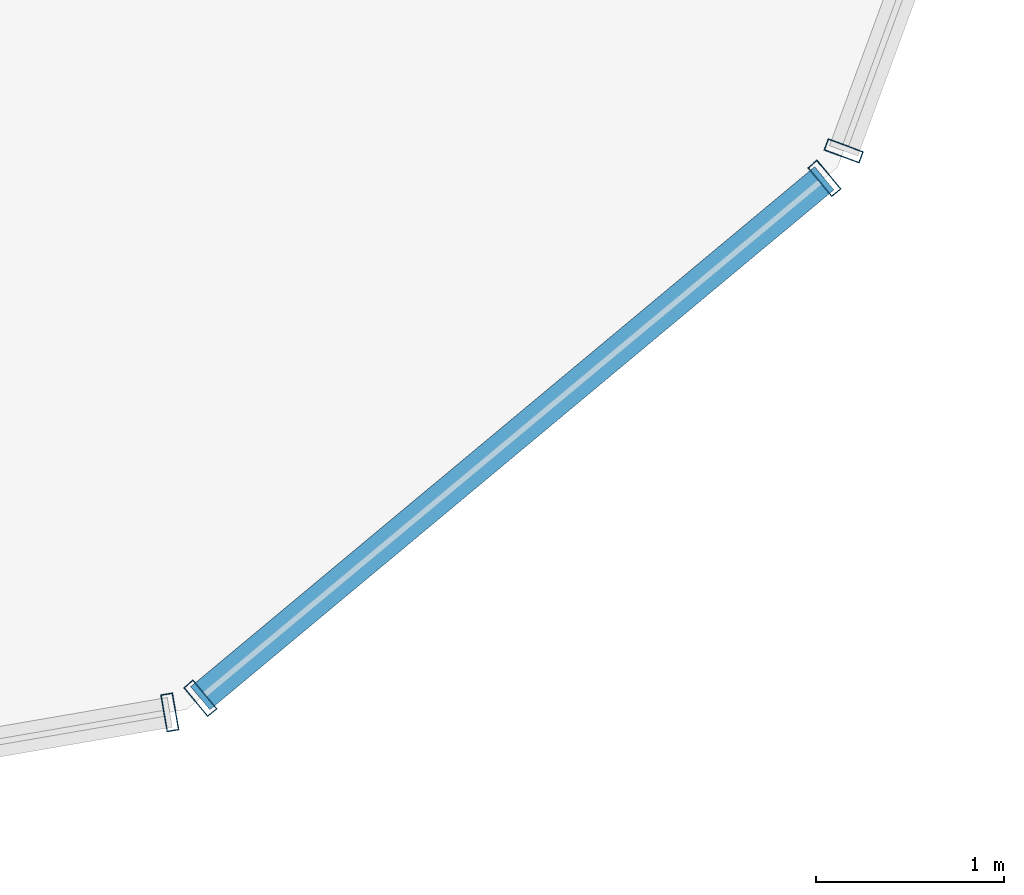
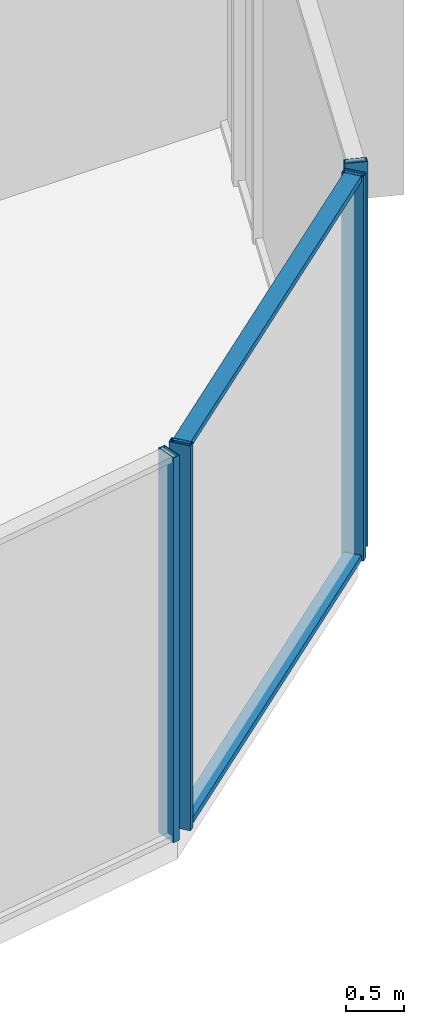
# One storey, part 13 of 35: 6 members, 3 elements without a shape of their own.
"""IFC4 building model written with IfcOpenShell, lengths in metres."""

import ifcopenshell
import ifcopenshell.guid

model = None  # the IFC model being written
_history = None  # IfcOwnerHistory: only IFC2X3 demands one
_inside = {}  # id of a spatial element -> (the spatial element, [elements in it])
_under = {}  # id of a project, library or spatial element -> (it, [spatial elements below it])
_declared = {}  # id of a project -> (the project, [libraries it declares])
_typed = {}  # id of a type object -> (the type object, [elements of that type])
_made_of = {}  # id of a material, layer set ... -> (it, [elements and type objects made of it])


def new_model(schema):
    """Start an empty IFC model of exactly this schema.

    Asked for "IFC4X3", IfcOpenShell would pick the latest addendum, in which some entities
    have other attributes; the version numbers below select the first issue.
    IFC2X3 requires an IfcOwnerHistory on every rooted entity: one is made here for all.
    """
    global model, _history
    if schema == "IFC4X3":
        model = ifcopenshell.file(schema_version=(4, 3, 0, 0))
    else:
        model = ifcopenshell.file(schema=schema)
    _inside.clear()
    _under.clear()
    _declared.clear()
    _typed.clear()
    _made_of.clear()
    _history = None
    if model.schema == "IFC2X3":
        org = make("IfcOrganization", Name="unknown")
        user = make(
            "IfcPersonAndOrganization",
            ThePerson=make("IfcPerson", FamilyName="unknown"),
            TheOrganization=org,
        )
        app = make(
            "IfcApplication",
            ApplicationDeveloper=org,
            Version="unknown",
            ApplicationFullName="unknown",
            ApplicationIdentifier="unknown",
        )
        _history = make(
            "IfcOwnerHistory",
            OwningUser=user,
            OwningApplication=app,
            ChangeAction="ADDED",
            CreationDate=0,
        )
    return model


def make(cls, **values):
    """One entity of the class cls with the attributes given. An attribute that is None is left unset."""
    return model.create_entity(
        cls, **{name: value for name, value in values.items() if value is not None}
    )


def rooted(cls, **values):
    """An entity with a GlobalId (a new one), such as an element, a storey or a relation."""
    return make(cls, GlobalId=ifcopenshell.guid.new(), OwnerHistory=_history, **values)


def si_unit(unit_type, name, prefix=None):
    """IfcSIUnit, for example si_unit("LENGTHUNIT", "METRE", prefix="MILLI")."""
    return make("IfcSIUnit", UnitType=unit_type, Prefix=prefix, Name=name)


def assignment(units):
    """IfcUnitAssignment: the units of a project."""
    return None if units is None else make("IfcUnitAssignment", Units=units)


def point(xyz):
    """IfcCartesianPoint."""
    return None if xyz is None else make("IfcCartesianPoint", Coordinates=xyz)


def direction(xyz):
    """IfcDirection."""
    return None if xyz is None else make("IfcDirection", DirectionRatios=xyz)


def frame(location, z_axis=None, x_axis=None):
    """IfcAxis2Placement3D, a coordinate frame: its origin and axes. An axis left out is left unset."""
    return make(
        "IfcAxis2Placement3D",
        Location=point(location),
        Axis=direction(z_axis),
        RefDirection=direction(x_axis),
    )


def frame_2d(location, x_axis=None):
    """IfcAxis2Placement2D, a coordinate frame in the plane: its origin and x axis."""
    return make(
        "IfcAxis2Placement2D", Location=point(location), RefDirection=direction(x_axis)
    )


def origin():
    """The frame at (0, 0, 0) with its axes left unset."""
    return frame((0.0, 0.0, 0.0))


def origin_2d():
    """The frame at (0, 0) in the plane with its x axis left unset."""
    return frame_2d((0.0, 0.0))


def place(relative_to, where):
    """IfcLocalPlacement: puts the frame where relative to a parent placement (None: the world)."""
    return make(
        "IfcLocalPlacement", PlacementRelTo=relative_to, RelativePlacement=where
    )


def context(
    kind, dimensions, precision=None, world=None, true_north=None, identifier=None
):
    """IfcGeometricRepresentationContext, for example the 3D "Model" context."""
    return make(
        "IfcGeometricRepresentationContext",
        ContextIdentifier=identifier,
        ContextType=kind,
        CoordinateSpaceDimension=dimensions,
        Precision=precision,
        WorldCoordinateSystem=world,
        TrueNorth=true_north,
    )


def subcontext(parent, identifier, kind, view, scale=None):
    """IfcGeometricRepresentationSubContext, for example "Body" below "Model"."""
    return make(
        "IfcGeometricRepresentationSubContext",
        ContextIdentifier=identifier,
        ContextType=kind,
        ParentContext=parent,
        TargetScale=scale,
        TargetView=view,
    )


def project(units=None, contexts=None):
    """IfcProject with its units and contexts."""
    return rooted(
        "IfcProject",
        Name="project",
        RepresentationContexts=contexts,
        UnitsInContext=assignment(units),
    )


def spatial(cls, under=None, at=None, **own):
    """A site, building, storey or space (cls), placed at a placement, below another one or the project."""
    s = rooted(cls, ObjectPlacement=at, **own)
    if under is not None:
        _under.setdefault(under.id(), (under, []))[1].append(s)
    return s


def profile(cls, at=None, kind="AREA", **sizes):
    """A parametric profile (cls). Its sizes go by their IFC names, for example OverallWidth=200.0."""
    return make(cls, ProfileType=kind, Position=at, **sizes)


def hollow_rectangle(**sizes):
    """IfcRectangleHollowProfileDef."""
    return profile("IfcRectangleHollowProfileDef", **sizes)


def extrude(swept, where, along, depth):
    """IfcExtrudedAreaSolid: the profile swept, set in the frame where, extruded along a direction by depth."""
    return make(
        "IfcExtrudedAreaSolid",
        SweptArea=swept,
        Position=where,
        ExtrudedDirection=direction(along),
        Depth=depth,
    )


def shape(context_of_items, identifier, shape_type, items):
    """IfcShapeRepresentation: the items that make up one representation, for example the "Body"."""
    return make(
        "IfcShapeRepresentation",
        ContextOfItems=context_of_items,
        RepresentationIdentifier=identifier,
        RepresentationType=shape_type,
        Items=items,
    )


def source(mapping_origin, context_of_items, identifier, shape_type, items):
    """IfcRepresentationMap: a shape defined once, which mapped items show again and again."""
    return make(
        "IfcRepresentationMap",
        MappingOrigin=mapping_origin,
        MappedRepresentation=shape(context_of_items, identifier, shape_type, items),
    )


def transform(
    local_origin,
    x_axis=None,
    y_axis=None,
    z_axis=None,
    scale=None,
    scale2=None,
    scale3=None,
    uniform=True,
):
    """IfcCartesianTransformationOperator3D, or its non-uniform kind. x_axis, y_axis, z_axis: its Axis1, 2, 3."""
    if uniform:
        return make(
            "IfcCartesianTransformationOperator3D",
            Axis1=direction(x_axis),
            Axis2=direction(y_axis),
            LocalOrigin=point(local_origin),
            Scale=scale,
            Axis3=direction(z_axis),
        )
    return make(
        "IfcCartesianTransformationOperator3DnonUniform",
        Axis1=direction(x_axis),
        Axis2=direction(y_axis),
        LocalOrigin=point(local_origin),
        Scale=scale,
        Axis3=direction(z_axis),
        Scale2=scale2,
        Scale3=scale3,
    )


def mapped(mapping_source, mapping_target):
    """IfcMappedItem: shows the shape of a source again, moved by a transform."""
    return make(
        "IfcMappedItem", MappingSource=mapping_source, MappingTarget=mapping_target
    )


def material(Name=None, Category=None):
    """IfcMaterial."""
    return make("IfcMaterial", Name=Name, Category=Category)


def layer(
    of_material, thickness, ventilated=None, Name=None, Category=None, Priority=None
):
    """IfcMaterialLayer: one layer of a wall or slab, of a material (None: an air gap)."""
    return make(
        "IfcMaterialLayer",
        Material=of_material,
        LayerThickness=thickness,
        IsVentilated=ventilated,
        Name=Name,
        Category=Category,
        Priority=Priority,
    )


def layer_set(layers, Name=None):
    """IfcMaterialLayerSet."""
    return make("IfcMaterialLayerSet", MaterialLayers=layers, LayerSetName=Name)


def material_profile(
    of_material, cross_section, Name=None, Category=None, Priority=None
):
    """IfcMaterialProfile: a cross section and its material."""
    return make(
        "IfcMaterialProfile",
        Name=Name,
        Material=of_material,
        Profile=cross_section,
        Priority=Priority,
        Category=Category,
    )


def profile_set(profiles, Name=None, composite=None):
    """IfcMaterialProfileSet."""
    return make(
        "IfcMaterialProfileSet",
        Name=Name,
        MaterialProfiles=profiles,
        CompositeProfile=composite,
    )


def made_of(thing, what):
    """Note that an element or type object is made of a material, layer set ...; save() writes the relation."""
    if what is not None:
        _made_of.setdefault(what.id(), (what, []))[1].append(thing)
    return thing


def type_object(cls, material=None, **own):
    """A type object (cls), such as IfcWallType, which elements share."""
    return made_of(rooted(cls, **own), material)


def element(
    cls,
    number,
    at=None,
    inside=None,
    cuts=None,
    type_object=None,
    material=None,
    context=None,
    identifier="Body",
    shape_type=None,
    held_by="IfcProductDefinitionShape",
    body=None,
    shapes=None,
    **own,
):
    """One element of the class cls, such as IfcWall. Its Tag is "e" and its number.

    at: its placement. inside: the storey or other place that contains it. cuts: it is an
    opening in that element (IfcRelVoidsElement). A single representation is given by context,
    identifier, shape_type and body (its items); several are given by shapes. held_by: the class
    of the entity that holds the representations. save() writes the other relations.
    """
    e = rooted(cls, Tag="e%d" % number, ObjectPlacement=at, **own)
    if body is not None:
        shapes = [shape(context, identifier, shape_type, body)]
    if shapes is not None:
        e.Representation = make(held_by, Representations=shapes)
    if inside is not None:
        _inside.setdefault(inside.id(), (inside, []))[1].append(e)
    if cuts is not None:
        rooted(
            "IfcRelVoidsElement", RelatingBuildingElement=cuts, RelatedOpeningElement=e
        )
    if type_object is not None:
        _typed.setdefault(type_object.id(), (type_object, []))[1].append(e)
    return made_of(e, material)


def aggregate(whole, parts):
    """IfcRelAggregates: a whole, such as a stair, and the parts it consists of."""
    return rooted("IfcRelAggregates", RelatingObject=whole, RelatedObjects=parts)


def save(model, path):
    """Write the relations noted so far, then the file.

    IfcRelAggregates (storeys below a building ...), IfcRelContainedInSpatialStructure (elements
    in a storey), IfcRelDefinesByType, IfcRelAssociatesMaterial and IfcRelDeclares: one each for
    every whole, place, type object, material and project.
    """
    for whole, parts in _under.values():
        aggregate(whole, parts)
    for where, things in _inside.values():
        rooted(
            "IfcRelContainedInSpatialStructure",
            RelatedElements=things,
            RelatingStructure=where,
        )
    for kind, things in _typed.values():
        rooted("IfcRelDefinesByType", RelatedObjects=things, RelatingType=kind)
    for what, things in _made_of.values():
        rooted("IfcRelAssociatesMaterial", RelatedObjects=things, RelatingMaterial=what)
    for by, libraries in _declared.values():
        rooted("IfcRelDeclares", RelatingContext=by, RelatedDefinitions=libraries)
    model.write(path)


model = new_model("IFC4")

# Units and contexts
model_context = context("Model", 3, precision=1e-05, world=origin(), true_north=direction((0.0, 1.0)))
body_context = subcontext(model_context, "Body", "Model", "MODEL_VIEW")
ifc_project = project(units=[si_unit("LENGTHUNIT", "METRE"), si_unit("AREAUNIT", "SQUARE_METRE"), si_unit("VOLUMEUNIT", "CUBIC_METRE"), si_unit("PLANEANGLEUNIT", "RADIAN"), si_unit("MASSUNIT", "GRAM", prefix="KILO")], contexts=[model_context])

# Site, building, storey
site_placement = place(None, origin())
site = spatial("IfcSite", under=ifc_project, at=site_placement, CompositionType="ELEMENT")
building_placement = place(site_placement, origin())
building = spatial("IfcBuilding", under=site, at=building_placement, Name="Veraguas Prism Commons", CompositionType="ELEMENT")
storey_placement = place(building_placement, frame((0.0, 0.0, 56.550048828125)))
storey = spatial("IfcBuildingStorey", under=building, at=storey_placement, Name="L15", CompositionType="ELEMENT", Elevation=56.550048828125)

# Curtain wall, member
ifc_material = material(Name="Anodised aluminium EN AW-6063 T6", Category="aluminium")
ifc_layer = layer(ifc_material, 0.199951171875, Name="Sky Lobby and Pool Acoustic Curtain Wall", Category="aluminium")
ifc_layer_set = layer_set([ifc_layer], Name="Anodised aluminium EN AW-6063 T6")
curtain_wall_type = type_object("IfcCurtainWallType", Name="Sky Lobby and Pool Acoustic Curtain Wall", PredefinedType="NOTDEFINED", material=ifc_layer_set)
curtain_wall_1_placement = place(storey_placement, origin())
curtain_wall_1 = element("IfcCurtainWall", 1, at=curtain_wall_1_placement, inside=storey, type_object=curtain_wall_type, Name="Tower Facade Curtain Wall L15-F5", PredefinedType="NOTDEFINED")
ifc_material_profile_1 = material_profile(ifc_material, hollow_rectangle(XDim=0.06494140625, YDim=0.199951171875, WallThickness=0.00390625, at=origin_2d()), Name="AL65X200X4")
ifc_profile_set_1 = profile_set([ifc_material_profile_1], Name="Anodised aluminium EN AW-6063 T6")
member_type_1 = type_object("IfcMemberType", Name="Curtain Wall Mullion Heavy AL 65x200x4", PredefinedType="MULLION", material=ifc_profile_set_1)
shared_shape_1 = source(origin(), body_context, "Body", "SweptSolid", [
    extrude(hollow_rectangle(XDim=0.06494140625, YDim=0.199951171875, WallThickness=0.00390625, at=origin_2d()), origin(), (0.0, 0.0, 1.0), 4.050048828125),
])
member_1_placement = place(storey_placement, frame((36.71142578125, 5.103271484375, 0.0), z_axis=(0.0, 0.0, 1.0), x_axis=(0.985407898483, 0.170209499166, 0.0)))
member_1 = element("IfcMember", 2, at=member_1_placement, type_object=member_type_1, Name="CW-SKY Mullion 5", PredefinedType="MULLION", context=body_context, shape_type="MappedRepresentation", body=[
    mapped(shared_shape_1, transform((0.0, 0.0, 0.0), scale=1.0)),
])
aggregate(curtain_wall_1, [member_1])

curtain_wall_2_placement = place(storey_placement, origin())
curtain_wall_2 = element("IfcCurtainWall", 3, at=curtain_wall_2_placement, inside=storey, type_object=curtain_wall_type, Name="Tower Facade Curtain Wall L15-F6", PredefinedType="NOTDEFINED")
member_2_placement = place(storey_placement, frame((40.29150390625, 8.086181640625, 0.0), z_axis=(0.0, 0.0, 1.0), x_axis=(0.345301474955, 0.938491817436, 0.0)))
member_2 = element("IfcMember", 4, at=member_2_placement, type_object=member_type_1, Name="CW-SKY Mullion 1", PredefinedType="MULLION", context=body_context, shape_type="MappedRepresentation", body=[
    mapped(shared_shape_1, transform((0.0, 0.0, 0.0), scale=1.0)),
])
aggregate(curtain_wall_2, [member_2])

# Curtain wall, members
curtain_wall_3_placement = place(storey_placement, origin())
curtain_wall_3 = element("IfcCurtainWall", 5, at=curtain_wall_3_placement, inside=storey, type_object=curtain_wall_type, Name="Chamfer Curtain Wall L15-C6", PredefinedType="NOTDEFINED")
member_3_placement = place(storey_placement, frame((36.87353515625, 5.17822265625, 0.0), z_axis=(0.0, 0.0, 1.0), x_axis=(0.768273468679, 0.640121767575, 0.0)))
member_3 = element("IfcMember", 6, at=member_3_placement, type_object=member_type_1, Name="CW-SKY Mullion 1", PredefinedType="MULLION", context=body_context, shape_type="MappedRepresentation", body=[
    mapped(shared_shape_1, transform((0.0, 0.0, 0.0), scale=1.0)),
])
member_4_placement = place(storey_placement, frame((40.188720703125, 7.940185546875, 0.0), z_axis=(0.0, 0.0, 1.0), x_axis=(0.768273468679, 0.640121767575, 0.0)))
member_4 = element("IfcMember", 7, at=member_4_placement, type_object=member_type_1, Name="CW-SKY Mullion 2", PredefinedType="MULLION", context=body_context, shape_type="MappedRepresentation", body=[
    mapped(shared_shape_1, transform((0.0, 0.0, 0.0), scale=1.0)),
])
ifc_material_profile_2 = material_profile(ifc_material, hollow_rectangle(XDim=0.06005859375, YDim=0.159912109375, WallThickness=0.0029296875, at=origin_2d()), Name="AL60X160X3")
ifc_profile_set_2 = profile_set([ifc_material_profile_2], Name="Anodised aluminium EN AW-6063 T6")
member_type_2 = type_object("IfcMemberType", Name="Curtain Wall Transom Heavy AL 60x160x3", PredefinedType="USERDEFINED", material=ifc_profile_set_2)
shared_shape_2 = source(origin(), body_context, "Body", "SweptSolid", [
    extrude(hollow_rectangle(XDim=0.06005859375, YDim=0.159912109375, WallThickness=0.0029296875, at=origin_2d()), origin(), (0.0, 0.0, 1.0), 4.31494140625),
])
member_5_placement = place(storey_placement, frame((36.87353515625, 5.17822265625, 0.030029296875), z_axis=(0.768300114785, 0.640089785593, 0.0), x_axis=(0.0, 0.0, 1.0)))
member_5 = element("IfcMember", 8, at=member_5_placement, type_object=member_type_2, Name="CW-SKY Transom 1", ObjectType="TRANSOM", PredefinedType="USERDEFINED", context=body_context, shape_type="MappedRepresentation", body=[
    mapped(shared_shape_2, transform((0.0, 0.0, 0.0), scale=1.0)),
])
member_6_placement = place(storey_placement, frame((36.87353515625, 5.17822265625, 4.02001953125), z_axis=(0.768300114785, 0.640089785593, 0.0), x_axis=(0.0, 0.0, 1.0)))
member_6 = element("IfcMember", 9, at=member_6_placement, type_object=member_type_2, Name="CW-SKY Transom 2", ObjectType="TRANSOM", PredefinedType="USERDEFINED", context=body_context, shape_type="MappedRepresentation", body=[
    mapped(shared_shape_2, transform((0.0, 0.0, 0.0), scale=1.0)),
])
aggregate(curtain_wall_3, [member_3, member_4, member_5, member_6])

save(model, "model.ifc")
